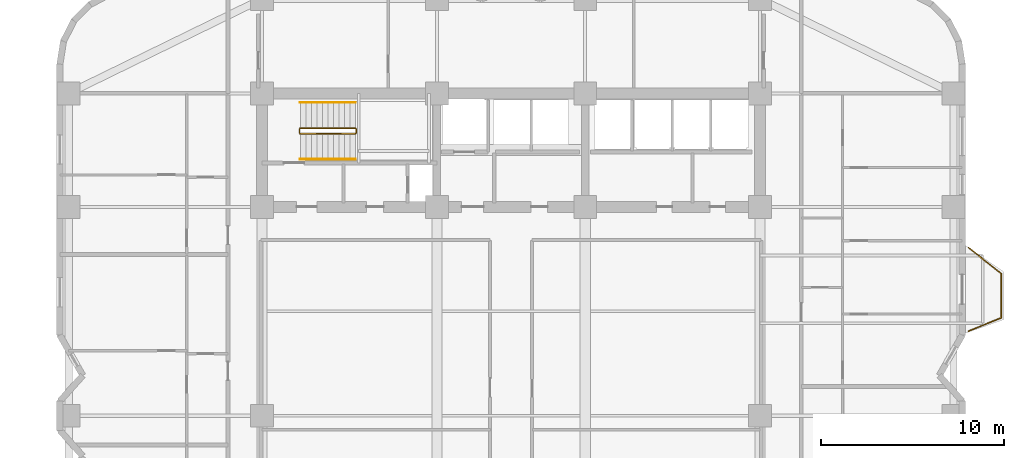
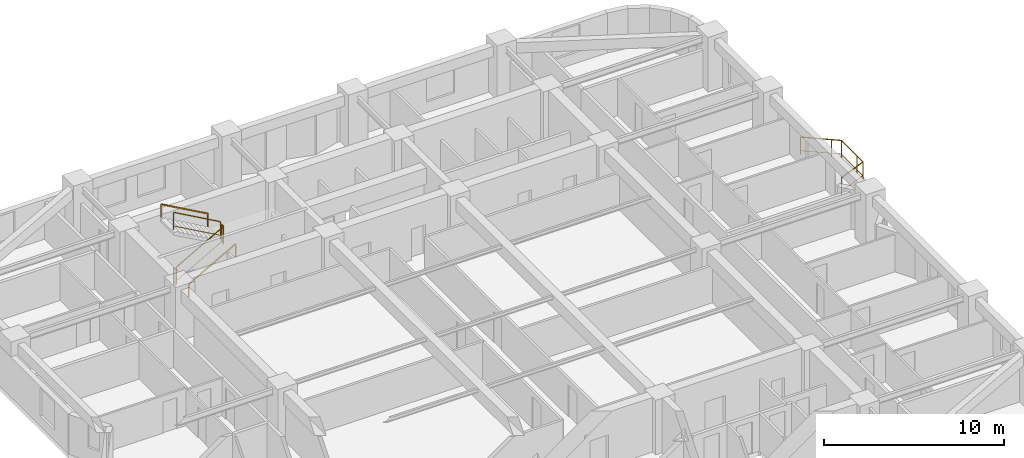
# One storey, part 9 of 9: 7 railings.
"""IFC4 building model written with IfcOpenShell, lengths in metres."""

from ifc_helpers import new_model, si_unit, direction, frame, origin, origin_2d, place, context, subcontext, project, spatial, rectangle, extrude, material, type_object, element, save


model = new_model("IFC4")

# Units and contexts
model_context = context("Model", 3, precision=1e-05, world=origin(), true_north=direction((0.0, 1.0)))
body_context = subcontext(model_context, "Body", "Model", "MODEL_VIEW")
ifc_project = project(units=[si_unit("LENGTHUNIT", "METRE"), si_unit("AREAUNIT", "SQUARE_METRE"), si_unit("VOLUMEUNIT", "CUBIC_METRE"), si_unit("PLANEANGLEUNIT", "RADIAN"), si_unit("MASSUNIT", "GRAM", prefix="KILO")], contexts=[model_context])

# Site, building, storey
site_placement = place(None, origin())
site = spatial("IfcSite", under=ifc_project, at=site_placement, CompositionType="ELEMENT")
building_placement = place(site_placement, origin())
building = spatial("IfcBuilding", under=site, at=building_placement, Name="Svetorya Sky Lyceum", CompositionType="ELEMENT")
storey_placement = place(building_placement, frame((0.0, 0.0, 51.0)))
storey = spatial("IfcBuildingStorey", under=building, at=storey_placement, Name="L12", CompositionType="ELEMENT", Elevation=51.0)

# Railings
ifc_material_1 = material(Name="Laminated safety glass and stainless AISI 316", Category="glass")
railing_type_1 = type_object("IfcRailingType", Name="RL-BAL-1200", PredefinedType="BALUSTRADE", material=ifc_material_1)
railing_1_placement = place(storey_placement, frame((64.169921875, 37.3798828125, 0.0)))
element("IfcRailing", 1, at=railing_1_placement, inside=storey, type_object=railing_type_1, Name="L12 Balcony Balustrade BAL-E1", PredefinedType="BALUSTRADE", context=body_context, shape_type="SweptSolid", body=[
    extrude(rectangle(XDim=0.048095703125, YDim=0.048095703125, at=origin_2d()), frame((0.0, 0.0, 1.17578125), z_axis=(0.783008919264, -0.622010476079, 0.0), x_axis=(0.622010476079, 0.783008919264, 0.0)), (0.0, 0.0, 1.0), 2.298828125),
    extrude(rectangle(XDim=0.02392578125, YDim=0.02392578125, at=origin_2d()), frame((0.0, 0.0, 0.25), z_axis=(0.783008919264, -0.622010476079, 0.0), x_axis=(0.622010476079, 0.783008919264, 0.0)), (0.0, 0.0, 1.0), 2.298828125),
    extrude(rectangle(XDim=0.048095703125, YDim=0.048095703125, at=origin_2d()), frame((1.800048828125, -1.429931640625, 1.17578125), z_axis=(0.0, -1.0, 0.0), x_axis=(1.0, 0.0, 0.0)), (0.0, 0.0, 1.0), 2.39990234375),
    extrude(rectangle(XDim=0.02392578125, YDim=0.02392578125, at=origin_2d()), frame((1.800048828125, -1.429931640625, 0.25), z_axis=(0.0, -1.0, 0.0), x_axis=(1.0, 0.0, 0.0)), (0.0, 0.0, 1.0), 2.39990234375),
    extrude(rectangle(XDim=0.048095703125, YDim=0.048095703125, at=origin_2d()), frame((1.800048828125, -3.829833984375, 1.17578125), z_axis=(-0.926697865975, -0.375807218129, 0.0), x_axis=(0.375807218129, -0.926697865975, 0.0)), (0.0, 0.0, 1.0), 1.9423828125),
    extrude(rectangle(XDim=0.02392578125, YDim=0.02392578125, at=origin_2d()), frame((1.800048828125, -3.829833984375, 0.25), z_axis=(-0.926697865975, -0.375807218129, 0.0), x_axis=(0.375807218129, -0.926697865975, 0.0)), (0.0, 0.0, 1.0), 1.9423828125),
    extrude(rectangle(XDim=0.0419921875, YDim=0.0419921875, at=origin_2d()), origin(), (0.0, 0.0, 1.0), 1.15185546875),
    extrude(rectangle(XDim=0.0419921875, YDim=0.0419921875, at=origin_2d()), frame((1.370361328125, -1.088623046875, 0.0)), (0.0, 0.0, 1.0), 1.15185546875),
    extrude(rectangle(XDim=0.0419921875, YDim=0.0419921875, at=origin_2d()), frame((1.800048828125, -1.429931640625, 0.0)), (0.0, 0.0, 1.0), 1.15185546875),
    extrude(rectangle(XDim=0.0419921875, YDim=0.0419921875, at=origin_2d()), frame((1.800048828125, -3.179931640625, 0.0)), (0.0, 0.0, 1.0), 1.15185546875),
    extrude(rectangle(XDim=0.0419921875, YDim=0.0419921875, at=origin_2d()), frame((1.800048828125, -3.829833984375, 0.0)), (0.0, 0.0, 1.0), 1.15185546875),
    extrude(rectangle(XDim=0.0419921875, YDim=0.0419921875, at=origin_2d()), frame((0.0, -4.559814453125, 0.0)), (0.0, 0.0, 1.0), 1.15185546875),
])
ifc_material_2 = material(Name="Painted galvanized stair well guard")
railing_type_2 = type_object("IfcRailingType", Name="RL-STR-GUARD-1200", PredefinedType="GUARDRAIL", material=ifc_material_2)
railing_2_placement = place(storey_placement, frame((27.699951171875, 43.60009765625, 0.168212890625)))
element("IfcRailing", 2, at=railing_2_placement, inside=storey, type_object=railing_type_2, Name="L12 ST-N stair guard 1", PredefinedType="GUARDRAIL", context=body_context, shape_type="SweptSolid", body=[
    extrude(rectangle(XDim=0.048095703125, YDim=0.048095703125, at=origin_2d()), frame((0.0, 0.0, 1.17578125), z_axis=(0.872272294576, 0.0, 0.489020494575), x_axis=(0.0, 1.0, 0.0)), (0.0, 0.0, 1.0), 3.439208984375),
    extrude(rectangle(XDim=0.02392578125, YDim=0.02392578125, at=origin_2d()), frame((0.0, 0.0, 0.25), z_axis=(0.872272294576, 0.0, 0.489020494575), x_axis=(0.0, 1.0, 0.0)), (0.0, 0.0, 1.0), 3.439208984375),
    extrude(rectangle(XDim=0.0419921875, YDim=0.0419921875, at=origin_2d()), origin(), (0.0, 0.0, 1.0), 1.15185546875),
    extrude(rectangle(XDim=0.0419921875, YDim=0.0419921875, at=origin_2d()), frame((3.0, 0.0, 1.681884765625)), (0.0, 0.0, 1.0), 1.15185546875),
])
railing_3_placement = place(storey_placement, frame((30.75, 43.64990234375, 1.85009765625)))
element("IfcRailing", 3, at=railing_3_placement, inside=storey, type_object=railing_type_2, Name="L12 ST-N stair guard 2", PredefinedType="GUARDRAIL", context=body_context, shape_type="SweptSolid", body=[
    extrude(rectangle(XDim=0.048095703125, YDim=0.048095703125, at=origin_2d()), frame((0.0, 0.0, 1.17578125), z_axis=(0.0, 1.0, 0.0), x_axis=(-1.0, 0.0, 0.0)), (0.0, 0.0, 1.0), 0.2001953125),
    extrude(rectangle(XDim=0.02392578125, YDim=0.02392578125, at=origin_2d()), frame((0.0, 0.0, 0.25), z_axis=(0.0, 1.0, 0.0), x_axis=(-1.0, 0.0, 0.0)), (0.0, 0.0, 1.0), 0.2001953125),
    extrude(rectangle(XDim=0.0419921875, YDim=0.0419921875, at=origin_2d()), origin(), (0.0, 0.0, 1.0), 1.15185546875),
    extrude(rectangle(XDim=0.0419921875, YDim=0.0419921875, at=origin_2d()), frame((0.0, 0.2001953125, 0.0)), (0.0, 0.0, 1.0), 1.15185546875),
])
railing_4_placement = place(storey_placement, frame((30.699951171875, 43.89990234375, 2.01806640625)))
element("IfcRailing", 4, at=railing_4_placement, inside=storey, type_object=railing_type_2, Name="L12 ST-N stair guard 3", PredefinedType="GUARDRAIL", context=body_context, shape_type="SweptSolid", body=[
    extrude(rectangle(XDim=0.048095703125, YDim=0.048095703125, at=origin_2d()), frame((0.0, 0.0, 1.17578125), z_axis=(-0.872272294576, 0.0, 0.489020494575), x_axis=(0.0, -1.0, 0.0)), (0.0, 0.0, 1.0), 3.439208984375),
    extrude(rectangle(XDim=0.02392578125, YDim=0.02392578125, at=origin_2d()), frame((0.0, 0.0, 0.25), z_axis=(-0.872272294576, 0.0, 0.489020494575), x_axis=(0.0, -1.0, 0.0)), (0.0, 0.0, 1.0), 3.439208984375),
    extrude(rectangle(XDim=0.0419921875, YDim=0.0419921875, at=origin_2d()), origin(), (0.0, 0.0, 1.0), 1.15185546875),
    extrude(rectangle(XDim=0.0419921875, YDim=0.0419921875, at=origin_2d()), frame((-3.0, 0.0, 1.681884765625)), (0.0, 0.0, 1.0), 1.15185546875),
])
railing_5_placement = place(storey_placement, frame((27.64990234375, 43.64990234375, 0.0)))
element("IfcRailing", 5, at=railing_5_placement, inside=storey, type_object=railing_type_2, Name="L12 ST-N stair guard 4", PredefinedType="GUARDRAIL", context=body_context, shape_type="SweptSolid", body=[
    extrude(rectangle(XDim=0.048095703125, YDim=0.048095703125, at=origin_2d()), frame((0.0, 0.0, 1.17578125), z_axis=(0.0, 1.0, 0.0), x_axis=(-1.0, 0.0, 0.0)), (0.0, 0.0, 1.0), 0.2001953125),
    extrude(rectangle(XDim=0.02392578125, YDim=0.02392578125, at=origin_2d()), frame((0.0, 0.0, 0.25), z_axis=(0.0, 1.0, 0.0), x_axis=(-1.0, 0.0, 0.0)), (0.0, 0.0, 1.0), 0.2001953125),
    extrude(rectangle(XDim=0.0419921875, YDim=0.0419921875, at=origin_2d()), origin(), (0.0, 0.0, 1.0), 1.15185546875),
    extrude(rectangle(XDim=0.0419921875, YDim=0.0419921875, at=origin_2d()), frame((0.0, 0.2001953125, 0.0)), (0.0, 0.0, 1.0), 1.15185546875),
])
ifc_material_3 = material(Name="Brushed stainless AISI 304 stair handrail")
railing_type_3 = type_object("IfcRailingType", Name="RL-STR-HAND-920", PredefinedType="HANDRAIL", material=ifc_material_3)
railing_6_placement = place(storey_placement, frame((27.699951171875, 42.199951171875, 0.168212890625)))
element("IfcRailing", 6, at=railing_6_placement, inside=storey, type_object=railing_type_3, Name="L12 ST-N stair handrail 1", PredefinedType="HANDRAIL", context=body_context, shape_type="SweptSolid", body=[
    extrude(rectangle(XDim=0.048095703125, YDim=0.048095703125, at=origin_2d()), frame((0.0, 0.0, 0.8759765625), z_axis=(0.872272294576, 0.0, 0.489020494575), x_axis=(0.0, 1.0, 0.0)), (0.0, 0.0, 1.0), 3.439208984375),
    extrude(rectangle(XDim=0.0419921875, YDim=0.0419921875, at=origin_2d()), origin(), (0.0, 0.0, 1.0), 0.851806640625),
    extrude(rectangle(XDim=0.0419921875, YDim=0.0419921875, at=origin_2d()), frame((3.0, 0.0, 1.681884765625)), (0.0, 0.0, 1.0), 0.851806640625),
])
railing_7_placement = place(storey_placement, frame((30.699951171875, 45.300048828125, 2.01806640625)))
element("IfcRailing", 7, at=railing_7_placement, inside=storey, type_object=railing_type_3, Name="L12 ST-N stair handrail 2", PredefinedType="HANDRAIL", context=body_context, shape_type="SweptSolid", body=[
    extrude(rectangle(XDim=0.048095703125, YDim=0.048095703125, at=origin_2d()), frame((0.0, 0.0, 0.8759765625), z_axis=(-0.872272294576, 0.0, 0.489020494575), x_axis=(0.0, -1.0, 0.0)), (0.0, 0.0, 1.0), 3.439208984375),
    extrude(rectangle(XDim=0.0419921875, YDim=0.0419921875, at=origin_2d()), origin(), (0.0, 0.0, 1.0), 0.851806640625),
    extrude(rectangle(XDim=0.0419921875, YDim=0.0419921875, at=origin_2d()), frame((-3.0, 0.0, 1.681884765625)), (0.0, 0.0, 1.0), 0.851806640625),
])

save(model, "model.ifc")
